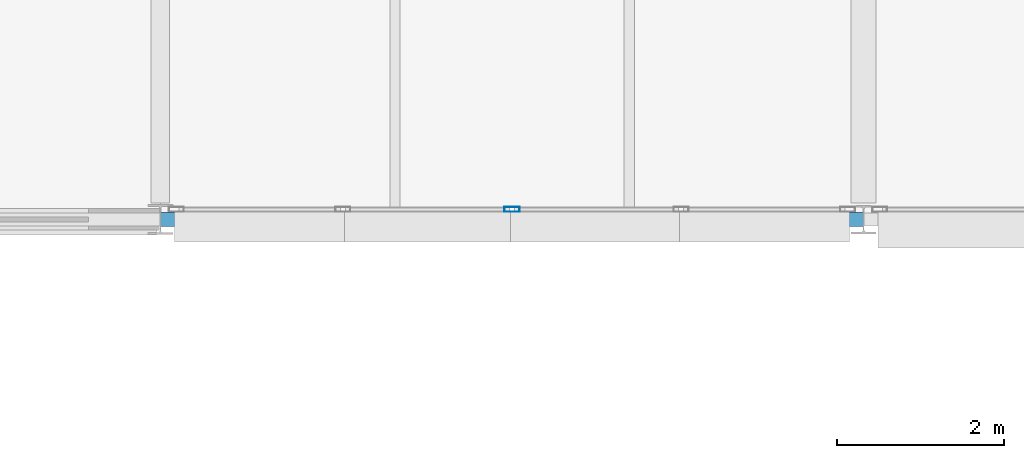
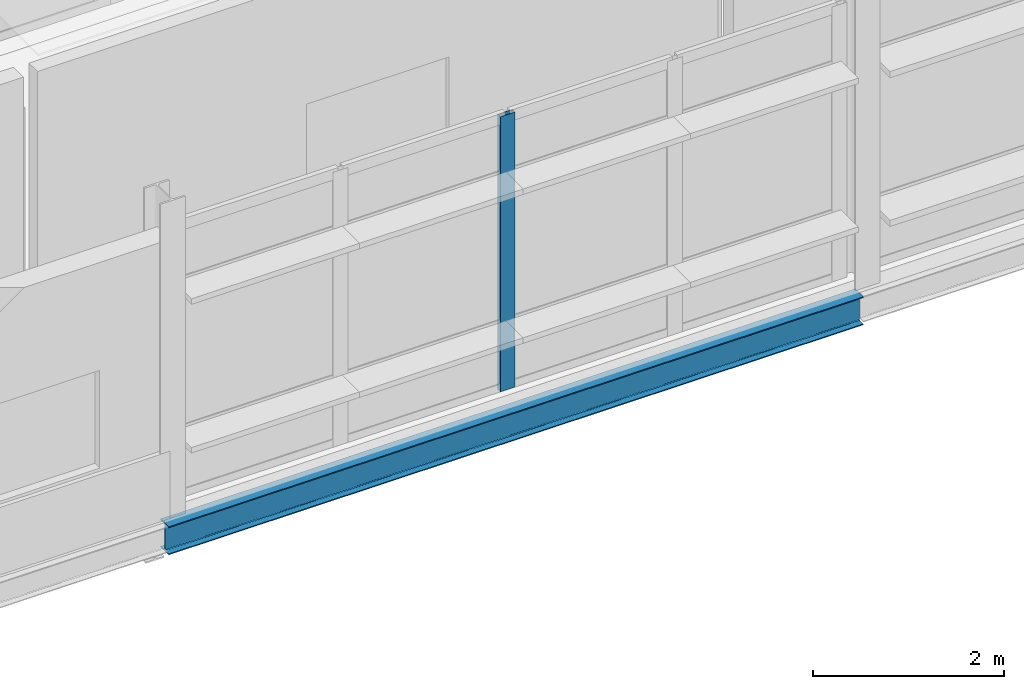
# One storey, part 14 of 66: 1 beam, 1 member, 1 element without a shape of its own.
"""IFC4 building model written with IfcOpenShell, lengths in metres."""

from ifc_helpers import new_model, si_unit, direction, frame, origin, origin_2d, place, context, subcontext, project, spatial, hollow_rectangle, i_section, extrude, material, material_profile, profile_set, type_object, element, aggregate, save


model = new_model("IFC4")

# Units and contexts
model_context = context("Model", 3, precision=1e-05, world=origin(), true_north=direction((0.0, 1.0)))
body_context = subcontext(model_context, "Body", "Model", "MODEL_VIEW")
ifc_project = project(units=[si_unit("LENGTHUNIT", "METRE"), si_unit("AREAUNIT", "SQUARE_METRE"), si_unit("VOLUMEUNIT", "CUBIC_METRE"), si_unit("PLANEANGLEUNIT", "RADIAN"), si_unit("MASSUNIT", "GRAM", prefix="KILO")], contexts=[model_context])

# Site, building, storey
site_placement = place(None, origin())
site = spatial("IfcSite", under=ifc_project, at=site_placement, CompositionType="ELEMENT")
building_placement = place(site_placement, origin())
building = spatial("IfcBuilding", under=site, at=building_placement, Name="Mersafa Astral City Hall", CompositionType="ELEMENT")
storey_placement = place(building_placement, frame((0.0, 0.0, 22.050048828125)))
storey = spatial("IfcBuildingStorey", under=building, at=storey_placement, Name="L05", CompositionType="ELEMENT", Elevation=22.050048828125)

# Curtain wall, member
ifc_material_1 = material(Name="Anodised bronze aluminium framing", Category="aluminium")
curtain_wall_type = type_object("IfcCurtainWallType", Name="ENV-CW-4", PredefinedType="USERDEFINED", material=ifc_material_1)
curtain_wall_placement = place(storey_placement, origin())
curtain_wall = element("IfcCurtainWall", 1, at=curtain_wall_placement, inside=storey, type_object=curtain_wall_type, Name="L05 Unitised solar curtain wall 237", ObjectType="UNITISED CURTAIN WALL", PredefinedType="USERDEFINED")
ifc_material_profile_1 = material_profile(ifc_material_1, hollow_rectangle(XDim=0.06005859375, YDim=0.179931640625, WallThickness=0.00390625, at=origin_2d()), Name="RHS 60x180x4")
ifc_profile_set_1 = profile_set([ifc_material_profile_1], Name="Anodised bronze aluminium framing")
member_type = type_object("IfcMemberType", Name="ENV-CW-MUL-1", PredefinedType="MULLION", material=ifc_profile_set_1)
member_placement = place(storey_placement, frame((88.199951171875, 117.719970703125, -0.001953125), z_axis=(0.0, 0.0, 1.0), x_axis=(0.0, 1.0, 0.0)))
member = element("IfcMember", 2, at=member_placement, type_object=member_type, Name="CW-4 mullion 3", PredefinedType="MULLION", context=body_context, shape_type="SweptSolid", body=[
    extrude(hollow_rectangle(XDim=0.06005859375, YDim=0.179931640625, WallThickness=0.00390625, at=origin_2d()), origin(), (0.0, 0.0, 1.0), 3.513916015625),
])
aggregate(curtain_wall, [member])

# Beam
ifc_material_2 = material(Name="Steel S355", Category="steel")
ifc_material_profile_2 = material_profile(ifc_material_2, i_section(OverallWidth=0.169921875, OverallDepth=0.360107421875, WebThickness=0.008056640625, FlangeThickness=0.0126953125, FilletRadius=0.01806640625, at=origin_2d()), Name="IPE 360")
ifc_profile_set_2 = profile_set([ifc_material_profile_2], Name="Steel S355")
beam_type = type_object("IfcBeamType", Name="STR-BM-SPANDREL-IPE360", PredefinedType="SPANDREL", material=ifc_profile_set_2)
beam_placement = place(storey_placement, frame((84.0029296875, 117.60009765625, -0.360107421875), z_axis=(1.0, 0.0, 0.0), x_axis=(0.0, 1.0, 0.0)))
element("IfcBeam", 3, at=beam_placement, inside=storey, type_object=beam_type, Name="L05 Primary girder X 10-14", PredefinedType="SPANDREL", context=body_context, shape_type="SweptSolid", body=[
    extrude(i_section(OverallWidth=0.169921875, OverallDepth=0.360107421875, WebThickness=0.008056640625, FlangeThickness=0.0126953125, FilletRadius=0.01806640625, at=origin_2d()), origin(), (0.0, 0.0, 1.0), 8.39404296875),
])

save(model, "model.ifc")
